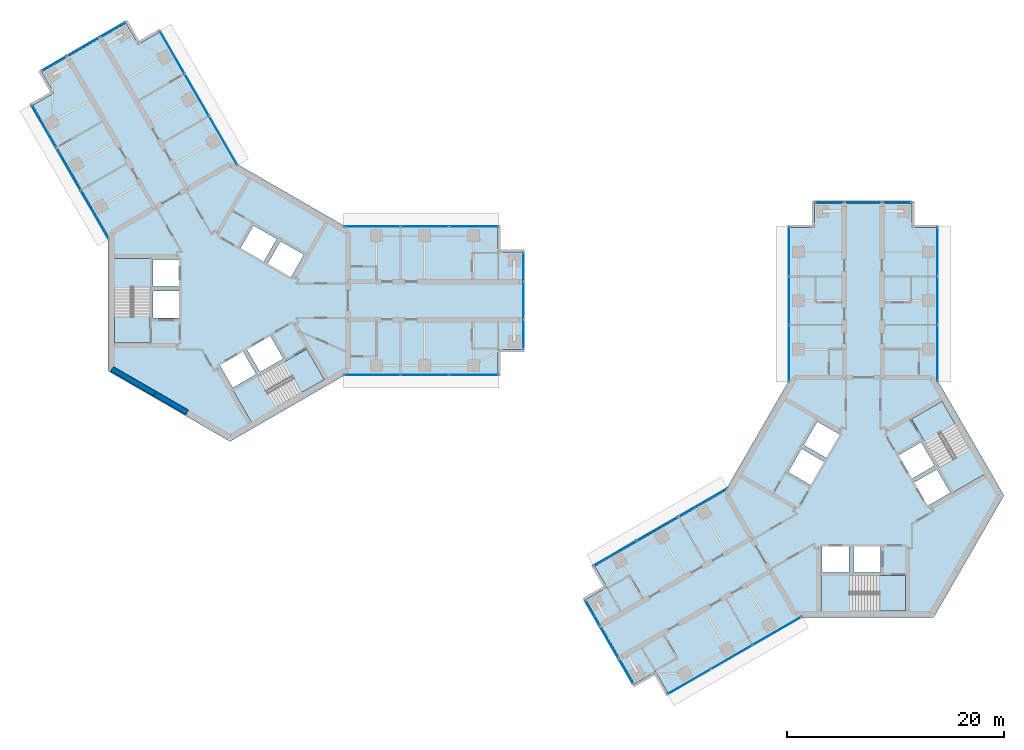
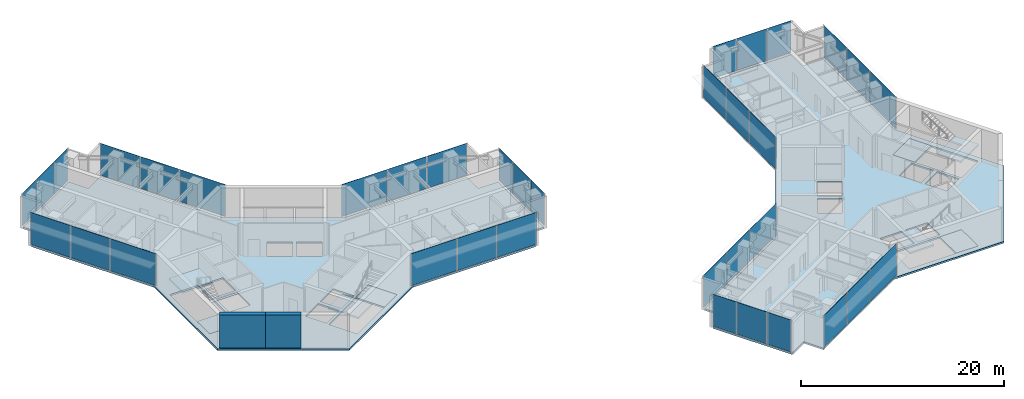
# One storey, part 10 of 17: 36 plates, 10 slabs, 2 walls, 16 elements without a shape of their own.
"""IFC4 building model written with IfcOpenShell, lengths in metres."""

from ifc_helpers import new_model, si_unit, direction, frame, frame_2d, origin, origin_2d, place, context, subcontext, project, spatial, polyline, rectangle, outline, extrude, material, layer, layer_set, type_object, element, aggregate, save


model = new_model("IFC4")

# Units and contexts
model_context = context("Model", 3, precision=1e-05, world=origin(), true_north=direction((0.0, 1.0)))
body_context = subcontext(model_context, "Body", "Model", "MODEL_VIEW")
ifc_project = project(units=[si_unit("LENGTHUNIT", "METRE"), si_unit("AREAUNIT", "SQUARE_METRE"), si_unit("VOLUMEUNIT", "CUBIC_METRE"), si_unit("PLANEANGLEUNIT", "RADIAN"), si_unit("MASSUNIT", "GRAM", prefix="KILO")], contexts=[model_context])

# Site, building, storey
site_placement = place(None, origin())
site = spatial("IfcSite", under=ifc_project, at=site_placement, CompositionType="ELEMENT")
building_placement = place(site_placement, origin())
building = spatial("IfcBuilding", under=site, at=building_placement, Name="Upepo Twin Towers", CompositionType="ELEMENT")
storey_placement = place(building_placement, frame((0.0, 0.0, 202.5)))
storey = spatial("IfcBuildingStorey", under=building, at=storey_placement, Name="L49", CompositionType="ELEMENT", Elevation=202.5)

# Curtain wall, plates
ifc_material_1 = material(Name="Aluminium and fritted glass", Category="aluminium")
curtain_wall_type = type_object("IfcCurtainWallType", Name="Tower curtain wall TW3, fritted glass", PredefinedType="NOTDEFINED", material=ifc_material_1)
curtain_wall_1_placement = place(storey_placement, origin())
curtain_wall_1 = element("IfcCurtainWall", 1, at=curtain_wall_1_placement, inside=storey, type_object=curtain_wall_type, Name="T1 L49 wing A flank L curtain wall", PredefinedType="NOTDEFINED")
ifc_material_2 = material(Name="Ceramic-fritted laminated glass", Category="glass")
ifc_layer_1 = layer(ifc_material_2, 0.031982421875)
ifc_layer_set_1 = layer_set([ifc_layer_1], Name="Fritted glass panel, 55 per cent dot frit, 32 mm double glazed")
plate_type_1 = type_object("IfcPlateType", Name="Fritted glass panel, 55 per cent dot frit, 32 mm double glazed", PredefinedType="CURTAIN_PANEL", material=ifc_layer_set_1)
plate_1_placement = place(storey_placement, frame((13.134765625, 6.85009765625, 0.14990234375), z_axis=(0.0, 0.0, 1.0), x_axis=(1.0, 0.0, 0.0)))
plate_1 = element("IfcPlate", 2, at=plate_1_placement, type_object=plate_type_1, Name="T1 L49 wing A flank L curtain wall panel 1", PredefinedType="CURTAIN_PANEL", context=body_context, shape_type="SweptSolid", body=[
    extrude(rectangle(XDim=5.165283203125, YDim=0.031982421875, at=origin_2d()), origin(), (0.0, 0.0, 1.0), 3.85009765625),
])
plate_2_placement = place(storey_placement, frame((18.0, 6.85009765625, 0.14990234375), z_axis=(0.0, 0.0, 1.0), x_axis=(1.0, 0.0, 0.0)))
plate_2 = element("IfcPlate", 3, at=plate_2_placement, type_object=plate_type_1, Name="T1 L49 wing A flank L curtain wall panel 2", PredefinedType="CURTAIN_PANEL", context=body_context, shape_type="SweptSolid", body=[
    extrude(rectangle(XDim=4.43505859375, YDim=0.031982421875, at=origin_2d()), origin(), (0.0, 0.0, 1.0), 3.85009765625),
])
plate_3_placement = place(storey_placement, frame((22.53369140625, 6.85009765625, 0.14990234375), z_axis=(0.0, 0.0, 1.0), x_axis=(1.0, 0.0, 0.0)))
plate_3 = element("IfcPlate", 4, at=plate_3_placement, type_object=plate_type_1, Name="T1 L49 wing A flank L curtain wall panel 3", PredefinedType="CURTAIN_PANEL", context=body_context, shape_type="SweptSolid", body=[
    extrude(rectangle(XDim=4.50244140625, YDim=0.031982421875, at=origin_2d()), origin(), (0.0, 0.0, 1.0), 3.85009765625),
])
aggregate(curtain_wall_1, [plate_1, plate_2, plate_3])

curtain_wall_2_placement = place(storey_placement, origin())
curtain_wall_2 = element("IfcCurtainWall", 5, at=curtain_wall_2_placement, inside=storey, type_object=curtain_wall_type, Name="T1 L49 wing A flank R curtain wall", PredefinedType="NOTDEFINED")
plate_4_placement = place(storey_placement, frame((22.53369140625, -6.85009765625, 0.14990234375), z_axis=(0.0, 0.0, 1.0), x_axis=(-1.0, 0.0, 0.0)))
plate_4 = element("IfcPlate", 6, at=plate_4_placement, type_object=plate_type_1, Name="T1 L49 wing A flank R curtain wall panel 1", PredefinedType="CURTAIN_PANEL", context=body_context, shape_type="SweptSolid", body=[
    extrude(rectangle(XDim=4.50244140625, YDim=0.031982421875, at=origin_2d()), origin(), (0.0, 0.0, 1.0), 3.85009765625),
])
plate_5_placement = place(storey_placement, frame((18.0, -6.85009765625, 0.14990234375), z_axis=(0.0, 0.0, 1.0), x_axis=(-1.0, 0.0, 0.0)))
plate_5 = element("IfcPlate", 7, at=plate_5_placement, type_object=plate_type_1, Name="T1 L49 wing A flank R curtain wall panel 2", PredefinedType="CURTAIN_PANEL", context=body_context, shape_type="SweptSolid", body=[
    extrude(rectangle(XDim=4.43505859375, YDim=0.031982421875, at=origin_2d()), origin(), (0.0, 0.0, 1.0), 3.85009765625),
])
plate_6_placement = place(storey_placement, frame((13.134765625, -6.85009765625, 0.14990234375), z_axis=(0.0, 0.0, 1.0), x_axis=(-1.0, 0.0, 0.0)))
plate_6 = element("IfcPlate", 8, at=plate_6_placement, type_object=plate_type_1, Name="T1 L49 wing A flank R curtain wall panel 3", PredefinedType="CURTAIN_PANEL", context=body_context, shape_type="SweptSolid", body=[
    extrude(rectangle(XDim=5.165283203125, YDim=0.031982421875, at=origin_2d()), origin(), (0.0, 0.0, 1.0), 3.85009765625),
])
aggregate(curtain_wall_2, [plate_4, plate_5, plate_6])

# Curtain wall, plate
curtain_wall_3_placement = place(storey_placement, origin())
curtain_wall_3 = element("IfcCurtainWall", 9, at=curtain_wall_3_placement, inside=storey, type_object=curtain_wall_type, Name="T1 L49 wing A nose curtain wall", PredefinedType="NOTDEFINED")
plate_7_placement = place(storey_placement, frame((27.10009765625, 0.0, 0.14990234375), z_axis=(0.0, 0.0, 1.0), x_axis=(0.0, 1.0, 0.0)))
plate_7 = element("IfcPlate", 10, at=plate_7_placement, type_object=plate_type_1, Name="T1 L49 wing A nose curtain wall panel 2", PredefinedType="CURTAIN_PANEL", context=body_context, shape_type="SweptSolid", body=[
    extrude(rectangle(XDim=3.43505859375, YDim=0.031982421875, at=origin_2d()), origin(), (0.0, 0.0, 1.0), 3.85009765625),
])

# Curtain wall, plates
curtain_wall_4_placement = place(storey_placement, origin())
curtain_wall_4 = element("IfcCurtainWall", 11, at=curtain_wall_4_placement, inside=storey, type_object=curtain_wall_type, Name="T1 L49 wing B flank L curtain wall", PredefinedType="NOTDEFINED")
plate_8_placement = place(storey_placement, frame((-12.499755859375, 7.9501953125, 0.14990234375), z_axis=(0.0, 0.0, 1.0), x_axis=(-0.500000026527, 0.866025388469, 0.0)))
plate_8 = element("IfcPlate", 12, at=plate_8_placement, type_object=plate_type_1, Name="T1 L49 wing B flank L curtain wall panel 1", PredefinedType="CURTAIN_PANEL", context=body_context, shape_type="SweptSolid", body=[
    extrude(rectangle(XDim=5.165283203125, YDim=0.031982421875, at=origin_2d()), origin(), (0.0, 0.0, 1.0), 3.85009765625),
])
plate_9_placement = place(storey_placement, frame((-14.932373046875, 12.16357421875, 0.14990234375), z_axis=(0.0, 0.0, 1.0), x_axis=(-0.500000026527, 0.866025388469, 0.0)))
plate_9 = element("IfcPlate", 13, at=plate_9_placement, type_object=plate_type_1, Name="T1 L49 wing B flank L curtain wall panel 2", PredefinedType="CURTAIN_PANEL", context=body_context, shape_type="SweptSolid", body=[
    extrude(rectangle(XDim=4.43505859375, YDim=0.031982421875, at=origin_2d()), origin(), (0.0, 0.0, 1.0), 3.85009765625),
])
plate_10_placement = place(storey_placement, frame((-17.19921875, 16.08984375, 0.14990234375), z_axis=(0.0, 0.0, 1.0), x_axis=(-0.500000026527, 0.866025388469, 0.0)))
plate_10 = element("IfcPlate", 14, at=plate_10_placement, type_object=plate_type_1, Name="T1 L49 wing B flank L curtain wall panel 3", PredefinedType="CURTAIN_PANEL", context=body_context, shape_type="SweptSolid", body=[
    extrude(rectangle(XDim=4.50244140625, YDim=0.031982421875, at=origin_2d()), origin(), (0.0, 0.0, 1.0), 3.85009765625),
])
aggregate(curtain_wall_4, [plate_8, plate_9, plate_10])

curtain_wall_5_placement = place(storey_placement, origin())
curtain_wall_5 = element("IfcCurtainWall", 15, at=curtain_wall_5_placement, inside=storey, type_object=curtain_wall_type, Name="T1 L49 wing B flank R curtain wall", PredefinedType="NOTDEFINED")
plate_11_placement = place(storey_placement, frame((-5.334716796875, 22.939697265625, 0.14990234375), z_axis=(0.0, 0.0, 1.0), x_axis=(0.500000026527, -0.866025388469, 0.0)))
plate_11 = element("IfcPlate", 16, at=plate_11_placement, type_object=plate_type_1, Name="T1 L49 wing B flank R curtain wall panel 1", PredefinedType="CURTAIN_PANEL", context=body_context, shape_type="SweptSolid", body=[
    extrude(rectangle(XDim=4.50244140625, YDim=0.031982421875, at=origin_2d()), origin(), (0.0, 0.0, 1.0), 3.85009765625),
])
plate_12_placement = place(storey_placement, frame((-3.067626953125, 19.013427734375, 0.14990234375), z_axis=(0.0, 0.0, 1.0), x_axis=(0.500000026527, -0.866025388469, 0.0)))
plate_12 = element("IfcPlate", 17, at=plate_12_placement, type_object=plate_type_1, Name="T1 L49 wing B flank R curtain wall panel 2", PredefinedType="CURTAIN_PANEL", context=body_context, shape_type="SweptSolid", body=[
    extrude(rectangle(XDim=4.43505859375, YDim=0.031982421875, at=origin_2d()), origin(), (0.0, 0.0, 1.0), 3.85009765625),
])
plate_13_placement = place(storey_placement, frame((-0.635009765625, 14.800048828125, 0.14990234375), z_axis=(0.0, 0.0, 1.0), x_axis=(0.500000026527, -0.866025388469, 0.0)))
plate_13 = element("IfcPlate", 18, at=plate_13_placement, type_object=plate_type_1, Name="T1 L49 wing B flank R curtain wall panel 3", PredefinedType="CURTAIN_PANEL", context=body_context, shape_type="SweptSolid", body=[
    extrude(rectangle(XDim=5.165283203125, YDim=0.031982421875, at=origin_2d()), origin(), (0.0, 0.0, 1.0), 3.85009765625),
])
aggregate(curtain_wall_5, [plate_11, plate_12, plate_13])

# Curtain wall, plate
curtain_wall_6_placement = place(storey_placement, origin())
curtain_wall_6 = element("IfcCurtainWall", 19, at=curtain_wall_6_placement, inside=storey, type_object=curtain_wall_type, Name="T1 L49 wing B nose curtain wall", PredefinedType="NOTDEFINED")
plate_14_placement = place(storey_placement, frame((-13.550048828125, 23.46923828125, 0.14990234375), z_axis=(0.0, 0.0, 1.0), x_axis=(-0.866025386174, -0.500000030502, 0.0)))
plate_14 = element("IfcPlate", 20, at=plate_14_placement, type_object=plate_type_1, Name="T1 L49 wing B nose curtain wall panel 2", PredefinedType="CURTAIN_PANEL", context=body_context, shape_type="SweptSolid", body=[
    extrude(rectangle(XDim=3.43505859375, YDim=0.031982421875, at=origin_2d()), origin(), (0.0, 0.0, 1.0), 3.85009765625),
])

# Curtain wall, plates
curtain_wall_7_placement = place(storey_placement, origin())
curtain_wall_7 = element("IfcCurtainWall", 21, at=curtain_wall_7_placement, inside=storey, type_object=curtain_wall_type, Name="T2 L49 wing A flank L curtain wall", PredefinedType="NOTDEFINED")
plate_15_placement = place(storey_placement, frame((51.64990234375, -4.865234375, 0.14990234375), z_axis=(0.0, 0.0, 1.0), x_axis=(0.0, 1.0, 0.0)))
plate_15 = element("IfcPlate", 22, at=plate_15_placement, type_object=plate_type_1, Name="T2 L49 wing A flank L curtain wall panel 1", PredefinedType="CURTAIN_PANEL", context=body_context, shape_type="SweptSolid", body=[
    extrude(rectangle(XDim=5.165283203125, YDim=0.031982421875, at=origin_2d()), origin(), (0.0, 0.0, 1.0), 3.85009765625),
])
plate_16_placement = place(storey_placement, frame((51.64990234375, 0.0, 0.14990234375), z_axis=(0.0, 0.0, 1.0), x_axis=(0.0, 1.0, 0.0)))
plate_16 = element("IfcPlate", 23, at=plate_16_placement, type_object=plate_type_1, Name="T2 L49 wing A flank L curtain wall panel 2", PredefinedType="CURTAIN_PANEL", context=body_context, shape_type="SweptSolid", body=[
    extrude(rectangle(XDim=4.43505859375, YDim=0.031982421875, at=origin_2d()), origin(), (0.0, 0.0, 1.0), 3.85009765625),
])
plate_17_placement = place(storey_placement, frame((51.64990234375, 4.53369140625, 0.14990234375), z_axis=(0.0, 0.0, 1.0), x_axis=(0.0, 1.0, 0.0)))
plate_17 = element("IfcPlate", 24, at=plate_17_placement, type_object=plate_type_1, Name="T2 L49 wing A flank L curtain wall panel 3", PredefinedType="CURTAIN_PANEL", context=body_context, shape_type="SweptSolid", body=[
    extrude(rectangle(XDim=4.50244140625, YDim=0.031982421875, at=origin_2d()), origin(), (0.0, 0.0, 1.0), 3.85009765625),
])
aggregate(curtain_wall_7, [plate_15, plate_16, plate_17])

curtain_wall_8_placement = place(storey_placement, origin())
curtain_wall_8 = element("IfcCurtainWall", 25, at=curtain_wall_8_placement, inside=storey, type_object=curtain_wall_type, Name="T2 L49 wing A flank R curtain wall", PredefinedType="NOTDEFINED")
plate_18_placement = place(storey_placement, frame((65.35009765625, 4.53369140625, 0.14990234375), z_axis=(0.0, 0.0, 1.0), x_axis=(0.0, -1.0, 0.0)))
plate_18 = element("IfcPlate", 26, at=plate_18_placement, type_object=plate_type_1, Name="T2 L49 wing A flank R curtain wall panel 1", PredefinedType="CURTAIN_PANEL", context=body_context, shape_type="SweptSolid", body=[
    extrude(rectangle(XDim=4.50244140625, YDim=0.031982421875, at=origin_2d()), origin(), (0.0, 0.0, 1.0), 3.85009765625),
])
plate_19_placement = place(storey_placement, frame((65.35009765625, 0.0, 0.14990234375), z_axis=(0.0, 0.0, 1.0), x_axis=(0.0, -1.0, 0.0)))
plate_19 = element("IfcPlate", 27, at=plate_19_placement, type_object=plate_type_1, Name="T2 L49 wing A flank R curtain wall panel 2", PredefinedType="CURTAIN_PANEL", context=body_context, shape_type="SweptSolid", body=[
    extrude(rectangle(XDim=4.43505859375, YDim=0.031982421875, at=origin_2d()), origin(), (0.0, 0.0, 1.0), 3.85009765625),
])
plate_20_placement = place(storey_placement, frame((65.35009765625, -4.865234375, 0.14990234375), z_axis=(0.0, 0.0, 1.0), x_axis=(0.0, -1.0, 0.0)))
plate_20 = element("IfcPlate", 28, at=plate_20_placement, type_object=plate_type_1, Name="T2 L49 wing A flank R curtain wall panel 3", PredefinedType="CURTAIN_PANEL", context=body_context, shape_type="SweptSolid", body=[
    extrude(rectangle(XDim=5.165283203125, YDim=0.031982421875, at=origin_2d()), origin(), (0.0, 0.0, 1.0), 3.85009765625),
])
aggregate(curtain_wall_8, [plate_18, plate_19, plate_20])

# Curtain wall, plate
curtain_wall_9_placement = place(storey_placement, origin())
curtain_wall_9 = element("IfcCurtainWall", 29, at=curtain_wall_9_placement, inside=storey, type_object=curtain_wall_type, Name="T2 L49 wing A nose curtain wall", PredefinedType="NOTDEFINED")
plate_21_placement = place(storey_placement, frame((58.5, 9.10009765625, 0.14990234375), z_axis=(0.0, 0.0, 1.0), x_axis=(-1.0, 0.0, 0.0)))
plate_21 = element("IfcPlate", 30, at=plate_21_placement, type_object=plate_type_1, Name="T2 L49 wing A nose curtain wall panel 2", PredefinedType="CURTAIN_PANEL", context=body_context, shape_type="SweptSolid", body=[
    extrude(rectangle(XDim=3.43505859375, YDim=0.031982421875, at=origin_2d()), origin(), (0.0, 0.0, 1.0), 3.85009765625),
])

# Curtain wall, plates
curtain_wall_10_placement = place(storey_placement, origin())
curtain_wall_10 = element("IfcCurtainWall", 31, at=curtain_wall_10_placement, inside=storey, type_object=curtain_wall_type, Name="T2 L49 wing B flank L curtain wall", PredefinedType="NOTDEFINED")
plate_22_placement = place(storey_placement, frame((50.5498046875, -30.499755859375, 0.14990234375), z_axis=(0.0, 0.0, 1.0), x_axis=(-0.866025388469, -0.500000026527, 0.0)))
plate_22 = element("IfcPlate", 32, at=plate_22_placement, type_object=plate_type_1, Name="T2 L49 wing B flank L curtain wall panel 1", PredefinedType="CURTAIN_PANEL", context=body_context, shape_type="SweptSolid", body=[
    extrude(rectangle(XDim=5.165283203125, YDim=0.031982421875, at=origin_2d()), origin(), (0.0, 0.0, 1.0), 3.85009765625),
])
plate_23_placement = place(storey_placement, frame((46.33642578125, -32.932373046875, 0.14990234375), z_axis=(0.0, 0.0, 1.0), x_axis=(-0.866025388469, -0.500000026527, 0.0)))
plate_23 = element("IfcPlate", 33, at=plate_23_placement, type_object=plate_type_1, Name="T2 L49 wing B flank L curtain wall panel 2", PredefinedType="CURTAIN_PANEL", context=body_context, shape_type="SweptSolid", body=[
    extrude(rectangle(XDim=4.43505859375, YDim=0.031982421875, at=origin_2d()), origin(), (0.0, 0.0, 1.0), 3.85009765625),
])
plate_24_placement = place(storey_placement, frame((42.41015625, -35.19921875, 0.14990234375), z_axis=(0.0, 0.0, 1.0), x_axis=(-0.866025388469, -0.500000026527, 0.0)))
plate_24 = element("IfcPlate", 34, at=plate_24_placement, type_object=plate_type_1, Name="T2 L49 wing B flank L curtain wall panel 3", PredefinedType="CURTAIN_PANEL", context=body_context, shape_type="SweptSolid", body=[
    extrude(rectangle(XDim=4.50244140625, YDim=0.031982421875, at=origin_2d()), origin(), (0.0, 0.0, 1.0), 3.85009765625),
])
aggregate(curtain_wall_10, [plate_22, plate_23, plate_24])

curtain_wall_11_placement = place(storey_placement, origin())
curtain_wall_11 = element("IfcCurtainWall", 35, at=curtain_wall_11_placement, inside=storey, type_object=curtain_wall_type, Name="T2 L49 wing B flank R curtain wall", PredefinedType="NOTDEFINED")
plate_25_placement = place(storey_placement, frame((35.560302734375, -23.334716796875, 0.14990234375), z_axis=(0.0, 0.0, 1.0), x_axis=(0.866025388469, 0.500000026527, 0.0)))
plate_25 = element("IfcPlate", 36, at=plate_25_placement, type_object=plate_type_1, Name="T2 L49 wing B flank R curtain wall panel 1", PredefinedType="CURTAIN_PANEL", context=body_context, shape_type="SweptSolid", body=[
    extrude(rectangle(XDim=4.50244140625, YDim=0.031982421875, at=origin_2d()), origin(), (0.0, 0.0, 1.0), 3.85009765625),
])
plate_26_placement = place(storey_placement, frame((39.486572265625, -21.067626953125, 0.14990234375), z_axis=(0.0, 0.0, 1.0), x_axis=(0.866025388469, 0.500000026527, 0.0)))
plate_26 = element("IfcPlate", 37, at=plate_26_placement, type_object=plate_type_1, Name="T2 L49 wing B flank R curtain wall panel 2", PredefinedType="CURTAIN_PANEL", context=body_context, shape_type="SweptSolid", body=[
    extrude(rectangle(XDim=4.43505859375, YDim=0.031982421875, at=origin_2d()), origin(), (0.0, 0.0, 1.0), 3.85009765625),
])
plate_27_placement = place(storey_placement, frame((43.699951171875, -18.635009765625, 0.14990234375), z_axis=(0.0, 0.0, 1.0), x_axis=(0.866025388469, 0.500000026527, 0.0)))
plate_27 = element("IfcPlate", 38, at=plate_27_placement, type_object=plate_type_1, Name="T2 L49 wing B flank R curtain wall panel 3", PredefinedType="CURTAIN_PANEL", context=body_context, shape_type="SweptSolid", body=[
    extrude(rectangle(XDim=5.165283203125, YDim=0.031982421875, at=origin_2d()), origin(), (0.0, 0.0, 1.0), 3.85009765625),
])
aggregate(curtain_wall_11, [plate_25, plate_26, plate_27])

# Curtain wall, plate
curtain_wall_12_placement = place(storey_placement, origin())
curtain_wall_12 = element("IfcCurtainWall", 39, at=curtain_wall_12_placement, inside=storey, type_object=curtain_wall_type, Name="T2 L49 wing B nose curtain wall", PredefinedType="NOTDEFINED")
plate_28_placement = place(storey_placement, frame((35.03076171875, -31.550048828125, 0.14990234375), z_axis=(0.0, 0.0, 1.0), x_axis=(0.500000030502, -0.866025386174, 0.0)))
plate_28 = element("IfcPlate", 40, at=plate_28_placement, type_object=plate_type_1, Name="T2 L49 wing B nose curtain wall panel 2", PredefinedType="CURTAIN_PANEL", context=body_context, shape_type="SweptSolid", body=[
    extrude(rectangle(XDim=3.43505859375, YDim=0.031982421875, at=origin_2d()), origin(), (0.0, 0.0, 1.0), 3.85009765625),
])

# Plate
ifc_material_3 = material(Name="Clear laminated glass in opening sash", Category="glass")
ifc_layer_2 = layer(ifc_material_3, 0.031982421875)
ifc_layer_set_2 = layer_set([ifc_layer_2], Name="Operable glass panel, 32 mm double glazed")
plate_type_2 = type_object("IfcPlateType", Name="Operable glass panel, 32 mm double glazed", PredefinedType="CURTAIN_PANEL", material=ifc_layer_set_2)
plate_29_placement = place(storey_placement, frame((27.10009765625, -3.108642578125, 0.14990234375), z_axis=(0.0, 0.0, 1.0), x_axis=(0.0, 1.0, 0.0)))
plate_29 = element("IfcPlate", 41, at=plate_29_placement, type_object=plate_type_2, Name="T1 L49 wing A nose curtain wall panel 1", PredefinedType="CURTAIN_PANEL", context=body_context, shape_type="SweptSolid", body=[
    extrude(rectangle(XDim=2.652587890625, YDim=0.031982421875, at=origin_2d()), origin(), (0.0, 0.0, 1.0), 3.85009765625),
])

plate_30_placement = place(storey_placement, frame((27.10009765625, 3.108642578125, 0.14990234375), z_axis=(0.0, 0.0, 1.0), x_axis=(0.0, 1.0, 0.0)))
plate_30 = element("IfcPlate", 42, at=plate_30_placement, type_object=plate_type_2, Name="T1 L49 wing A nose curtain wall panel 3", PredefinedType="CURTAIN_PANEL", context=body_context, shape_type="SweptSolid", body=[
    extrude(rectangle(XDim=2.652587890625, YDim=0.031982421875, at=origin_2d()), origin(), (0.0, 0.0, 1.0), 3.85009765625),
])

aggregate(curtain_wall_3, [plate_29, plate_7, plate_30])

plate_31_placement = place(storey_placement, frame((-10.857666015625, 25.023681640625, 0.14990234375), z_axis=(0.0, 0.0, 1.0), x_axis=(-0.866025386174, -0.500000030502, 0.0)))
plate_31 = element("IfcPlate", 43, at=plate_31_placement, type_object=plate_type_2, Name="T1 L49 wing B nose curtain wall panel 1", PredefinedType="CURTAIN_PANEL", context=body_context, shape_type="SweptSolid", body=[
    extrude(rectangle(XDim=2.652587890625, YDim=0.031982421875, at=origin_2d()), origin(), (0.0, 0.0, 1.0), 3.85009765625),
])

plate_32_placement = place(storey_placement, frame((-16.2421875, 21.914794921875, 0.14990234375), z_axis=(0.0, 0.0, 1.0), x_axis=(-0.866025386174, -0.500000030502, 0.0)))
plate_32 = element("IfcPlate", 44, at=plate_32_placement, type_object=plate_type_2, Name="T1 L49 wing B nose curtain wall panel 3", PredefinedType="CURTAIN_PANEL", context=body_context, shape_type="SweptSolid", body=[
    extrude(rectangle(XDim=2.652587890625, YDim=0.031982421875, at=origin_2d()), origin(), (0.0, 0.0, 1.0), 3.85009765625),
])

aggregate(curtain_wall_6, [plate_31, plate_14, plate_32])

plate_33_placement = place(storey_placement, frame((61.608642578125, 9.10009765625, 0.14990234375), z_axis=(0.0, 0.0, 1.0), x_axis=(-1.0, 0.0, 0.0)))
plate_33 = element("IfcPlate", 45, at=plate_33_placement, type_object=plate_type_2, Name="T2 L49 wing A nose curtain wall panel 1", PredefinedType="CURTAIN_PANEL", context=body_context, shape_type="SweptSolid", body=[
    extrude(rectangle(XDim=2.652587890625, YDim=0.031982421875, at=origin_2d()), origin(), (0.0, 0.0, 1.0), 3.85009765625),
])

plate_34_placement = place(storey_placement, frame((55.391357421875, 9.10009765625, 0.14990234375), z_axis=(0.0, 0.0, 1.0), x_axis=(-1.0, 0.0, 0.0)))
plate_34 = element("IfcPlate", 46, at=plate_34_placement, type_object=plate_type_2, Name="T2 L49 wing A nose curtain wall panel 3", PredefinedType="CURTAIN_PANEL", context=body_context, shape_type="SweptSolid", body=[
    extrude(rectangle(XDim=2.652587890625, YDim=0.031982421875, at=origin_2d()), origin(), (0.0, 0.0, 1.0), 3.85009765625),
])

aggregate(curtain_wall_9, [plate_33, plate_21, plate_34])

plate_35_placement = place(storey_placement, frame((33.476318359375, -28.857666015625, 0.14990234375), z_axis=(0.0, 0.0, 1.0), x_axis=(0.500000030502, -0.866025386174, 0.0)))
plate_35 = element("IfcPlate", 47, at=plate_35_placement, type_object=plate_type_2, Name="T2 L49 wing B nose curtain wall panel 1", PredefinedType="CURTAIN_PANEL", context=body_context, shape_type="SweptSolid", body=[
    extrude(rectangle(XDim=2.652587890625, YDim=0.031982421875, at=origin_2d()), origin(), (0.0, 0.0, 1.0), 3.85009765625),
])

plate_36_placement = place(storey_placement, frame((36.585205078125, -34.2421875, 0.14990234375), z_axis=(0.0, 0.0, 1.0), x_axis=(0.500000030502, -0.866025386174, 0.0)))
plate_36 = element("IfcPlate", 48, at=plate_36_placement, type_object=plate_type_2, Name="T2 L49 wing B nose curtain wall panel 3", PredefinedType="CURTAIN_PANEL", context=body_context, shape_type="SweptSolid", body=[
    extrude(rectangle(XDim=2.652587890625, YDim=0.031982421875, at=origin_2d()), origin(), (0.0, 0.0, 1.0), 3.85009765625),
])

aggregate(curtain_wall_12, [plate_35, plate_28, plate_36])

# Stair, slabs
ifc_material_4 = material(Name="Concrete C40/50", Category="concrete")
stair_type = type_object("IfcStairType", Name="Core stair, two flights", PredefinedType="HALF_TURN_STAIR", material=ifc_material_4)
stair_1_placement = place(storey_placement, origin())
stair_1 = element("IfcStair", 49, at=stair_1_placement, inside=storey, type_object=stair_type, Name="T1 stair S1 L49", PredefinedType="HALF_TURN_STAIR")
ifc_material_5 = material(Name="Concrete C40/50", Category="concrete")
ifc_layer_3 = layer(ifc_material_5, 0.199951171875)
ifc_layer_set_3 = layer_set([ifc_layer_3], Name="Concrete C40/50")
slab_type_1 = type_object("IfcSlabType", Name="Stair landing 200 RC", PredefinedType="LANDING", material=ifc_layer_set_3)
slab_1_placement = place(storey_placement, frame((0.0, 0.0, -0.199951171875)))
slab_1 = element("IfcSlab", 50, at=slab_1_placement, type_object=slab_type_1, Name="Stair S1 landing 1", PredefinedType="LANDING", context=body_context, shape_type="SweptSolid", body=[
    extrude(outline(polyline([(-7.39990234375, -1.419921875), (-10.658447265625, -1.419921875), (-10.658447265625, -3.89990234375), (-7.39990234375, -3.89990234375), (-7.39990234375, -1.419921875)])), origin(), (0.0, 0.0, 1.0), 0.199951171875),
])
slab_2_placement = place(storey_placement, frame((0.0, 0.0, 1.800048828125)))
slab_2 = element("IfcSlab", 51, at=slab_2_placement, type_object=slab_type_1, Name="Stair S1 landing 2", PredefinedType="LANDING", context=body_context, shape_type="SweptSolid", body=[
    extrude(outline(polyline([(-7.300048828125, 3.89990234375), (-10.75830078125, 3.89990234375), (-10.75830078125, 1.179931640625), (-7.300048828125, 1.179931640625), (-7.300048828125, 3.89990234375)])), origin(), (0.0, 0.0, 1.0), 0.199951171875),
])
aggregate(stair_1, [slab_1, slab_2])

stair_2_placement = place(storey_placement, origin())
stair_2 = element("IfcStair", 52, at=stair_2_placement, inside=storey, type_object=stair_type, Name="T1 stair S2 L49", PredefinedType="HALF_TURN_STAIR")
slab_3_placement = place(storey_placement, frame((0.0, 0.0, -0.199951171875)))
slab_3 = element("IfcSlab", 53, at=slab_3_placement, type_object=slab_type_1, Name="Stair S2 landing 1", PredefinedType="LANDING", context=body_context, shape_type="SweptSolid", body=[
    extrude(outline(polyline([(4.9296875, -5.698486328125), (6.558837890625, -8.520263671875), (8.70654296875, -7.2802734375), (7.077392578125, -4.45849609375), (4.9296875, -5.698486328125)])), origin(), (0.0, 0.0, 1.0), 0.199951171875),
])
slab_4_placement = place(storey_placement, frame((0.0, 0.0, 1.800048828125)))
slab_4 = element("IfcSlab", 54, at=slab_4_placement, type_object=slab_type_1, Name="Stair S2 landing 2", PredefinedType="LANDING", context=body_context, shape_type="SweptSolid", body=[
    extrude(outline(polyline([(0.2724609375, -8.27197265625), (2.001708984375, -11.26708984375), (4.357177734375, -9.906982421875), (2.628173828125, -6.911865234375), (0.2724609375, -8.27197265625)])), origin(), (0.0, 0.0, 1.0), 0.199951171875),
])
aggregate(stair_2, [slab_3, slab_4])

stair_3_placement = place(storey_placement, origin())
stair_3 = element("IfcStair", 55, at=stair_3_placement, inside=storey, type_object=stair_type, Name="T2 stair S1 L49", PredefinedType="HALF_TURN_STAIR")
slab_5_placement = place(storey_placement, frame((0.0, 0.0, -0.199951171875)))
slab_5 = element("IfcSlab", 56, at=slab_5_placement, type_object=slab_type_1, Name="Stair S1 landing 1", PredefinedType="LANDING", context=body_context, shape_type="SweptSolid", body=[
    extrude(outline(polyline([(59.919921875, -25.39990234375), (59.919921875, -28.658447265625), (62.39990234375, -28.658447265625), (62.39990234375, -25.39990234375), (59.919921875, -25.39990234375)])), origin(), (0.0, 0.0, 1.0), 0.199951171875),
])
slab_6_placement = place(storey_placement, frame((0.0, 0.0, 1.800048828125)))
slab_6 = element("IfcSlab", 57, at=slab_6_placement, type_object=slab_type_1, Name="Stair S1 landing 2", PredefinedType="LANDING", context=body_context, shape_type="SweptSolid", body=[
    extrude(outline(polyline([(54.60009765625, -25.300048828125), (54.60009765625, -28.75830078125), (57.320068359375, -28.75830078125), (57.320068359375, -25.300048828125), (54.60009765625, -25.300048828125)])), origin(), (0.0, 0.0, 1.0), 0.199951171875),
])
aggregate(stair_3, [slab_5, slab_6])

stair_4_placement = place(storey_placement, origin())
stair_4 = element("IfcStair", 58, at=stair_4_placement, inside=storey, type_object=stair_type, Name="T2 stair S2 L49", PredefinedType="HALF_TURN_STAIR")
slab_7_placement = place(storey_placement, frame((0.0, 0.0, -0.199951171875)))
slab_7 = element("IfcSlab", 59, at=slab_7_placement, type_object=slab_type_1, Name="Stair S2 landing 1", PredefinedType="LANDING", context=body_context, shape_type="SweptSolid", body=[
    extrude(outline(polyline([(64.198486328125, -13.0703125), (67.020263671875, -11.441162109375), (65.7802734375, -9.29345703125), (62.95849609375, -10.922607421875), (64.198486328125, -13.0703125)])), origin(), (0.0, 0.0, 1.0), 0.199951171875),
])
slab_8_placement = place(storey_placement, frame((0.0, 0.0, 1.800048828125)))
slab_8 = element("IfcSlab", 60, at=slab_8_placement, type_object=slab_type_1, Name="Stair S2 landing 2", PredefinedType="LANDING", context=body_context, shape_type="SweptSolid", body=[
    extrude(outline(polyline([(66.77197265625, -17.7275390625), (69.76708984375, -15.998291015625), (68.406982421875, -13.642822265625), (65.411865234375, -15.371826171875), (66.77197265625, -17.7275390625)])), origin(), (0.0, 0.0, 1.0), 0.199951171875),
])
aggregate(stair_4, [slab_7, slab_8])

# Slabs
ifc_material_6 = material(Name="Concrete C40/50", Category="concrete")
ifc_layer_4 = layer(ifc_material_6, 0.199951171875)
ifc_layer_set_4 = layer_set([ifc_layer_4], Name="Concrete C40/50")
slab_type_2 = type_object("IfcSlabType", Name="Tower floor slab 200 RC", PredefinedType="FLOOR", material=ifc_layer_set_4)
slab_9_placement = place(storey_placement, frame((0.0, 0.0, -0.199951171875)))
element("IfcSlab", 61, at=slab_9_placement, inside=storey, type_object=slab_type_2, Name="T1 L49 floor slab", PredefinedType="FLOOR", context=body_context, shape_type="SweptSolid", body=[
    extrude(outline(polyline([(10.825439453125, 6.75), (24.75, 6.75), (24.75, 4.5), (27.0, 4.5), (27.0, -4.5), (24.75, -4.5), (24.75, -6.75), (10.825439453125, -6.75), (0.0, -13.0), (-11.25830078125, -6.5), (-11.25830078125, 6.0), (-18.220703125, 18.05908203125), (-16.272216796875, 19.18408203125), (-17.397216796875, 21.132568359375), (-9.602783203125, 25.632568359375), (-8.477783203125, 23.68408203125), (-6.529296875, 24.80908203125), (0.43310546875, 12.75), (10.825439453125, 6.75)]), holes=[polyline([(5.640869140625, 2.17041015625), (6.8408203125, 4.248779296875), (4.67578125, 5.498779296875), (3.475830078125, 3.42041015625), (5.640869140625, 2.17041015625)]), polyline([(3.12939453125, 3.620361328125), (4.329345703125, 5.69873046875), (2.164306640625, 6.94873046875), (0.96435546875, 4.870361328125), (3.12939453125, 3.620361328125)]), polyline([(-4.699951171875, 3.800048828125), (-7.10009765625, 3.800048828125), (-7.10009765625, 1.300048828125), (-4.699951171875, 1.300048828125), (-4.699951171875, 3.800048828125)]), polyline([(-4.699951171875, 0.89990234375), (-7.10009765625, 0.89990234375), (-7.10009765625, -1.60009765625), (-4.699951171875, -1.60009765625), (-4.699951171875, 0.89990234375)]), polyline([(-7.39990234375, 3.89990234375), (-10.658447265625, 3.89990234375), (-10.658447265625, -3.89990234375), (-7.39990234375, -3.89990234375), (-7.39990234375, 3.89990234375)]), polyline([(-0.94091796875, -5.97021484375), (0.259033203125, -8.048828125), (2.424072265625, -6.798828125), (1.22412109375, -4.72021484375), (-0.94091796875, -5.97021484375)]), polyline([(1.570556640625, -4.520263671875), (2.7705078125, -6.598876953125), (4.935546875, -5.348876953125), (3.735595703125, -3.270263671875), (1.570556640625, -4.520263671875)]), polyline([(0.322509765625, -8.358642578125), (1.95166015625, -11.180419921875), (8.70654296875, -7.2802734375), (7.077392578125, -4.45849609375), (0.322509765625, -8.358642578125)])]), origin(), (0.0, 0.0, 1.0), 0.199951171875),
])
slab_10_placement = place(storey_placement, frame((0.0, 0.0, -0.199951171875)))
element("IfcSlab", 62, at=slab_10_placement, inside=storey, type_object=slab_type_2, Name="T2 L49 floor slab", PredefinedType="FLOOR", context=body_context, shape_type="SweptSolid", body=[
    extrude(outline(polyline([(51.75, -7.174560546875), (51.75, 6.75), (54.0, 6.75), (54.0, 9.0), (63.0, 9.0), (63.0, 6.75), (65.25, 6.75), (65.25, -7.174560546875), (71.5, -18.0), (65.0, -29.25830078125), (52.5, -29.25830078125), (40.44091796875, -36.220703125), (39.31591796875, -34.272216796875), (37.367431640625, -35.397216796875), (32.867431640625, -27.602783203125), (34.81591796875, -26.477783203125), (33.69091796875, -24.529296875), (45.75, -17.56689453125), (51.75, -7.174560546875)]), holes=[polyline([(56.32958984375, -12.359130859375), (54.251220703125, -11.1591796875), (53.001220703125, -13.32421875), (55.07958984375, -14.524169921875), (56.32958984375, -12.359130859375)]), polyline([(54.879638671875, -14.87060546875), (52.80126953125, -13.670654296875), (51.55126953125, -15.835693359375), (53.629638671875, -17.03564453125), (54.879638671875, -14.87060546875)]), polyline([(54.699951171875, -22.699951171875), (54.699951171875, -25.10009765625), (57.199951171875, -25.10009765625), (57.199951171875, -22.699951171875), (54.699951171875, -22.699951171875)]), polyline([(57.60009765625, -22.699951171875), (57.60009765625, -25.10009765625), (60.10009765625, -25.10009765625), (60.10009765625, -22.699951171875), (57.60009765625, -22.699951171875)]), polyline([(54.60009765625, -25.39990234375), (54.60009765625, -28.658447265625), (62.39990234375, -28.658447265625), (62.39990234375, -25.39990234375), (54.60009765625, -25.39990234375)]), polyline([(64.47021484375, -18.94091796875), (66.548828125, -17.740966796875), (65.298828125, -15.575927734375), (63.22021484375, -16.77587890625), (64.47021484375, -18.94091796875)]), polyline([(63.020263671875, -16.429443359375), (65.098876953125, -15.2294921875), (63.848876953125, -13.064453125), (61.770263671875, -14.264404296875), (63.020263671875, -16.429443359375)]), polyline([(66.858642578125, -17.677490234375), (69.680419921875, -16.04833984375), (65.7802734375, -9.29345703125), (62.95849609375, -10.922607421875), (66.858642578125, -17.677490234375)])]), origin(), (0.0, 0.0, 1.0), 0.199951171875),
])

# Walls
ifc_material_7 = material(Name="Concrete C60/75", Category="concrete")
ifc_layer_5 = layer(ifc_material_7, 0.5)
ifc_layer_set_5 = layer_set([ifc_layer_5], Name="Concrete C60/75")
wall_type = type_object("IfcWallType", Name="Core wall 500 RC", PredefinedType="SHEAR", material=ifc_layer_set_5)
wall_1_placement = place(storey_placement, frame((-10.908447265625, -6.2978515625, 0.0), z_axis=(0.0, 0.0, 1.0), x_axis=(0.866034513004, -0.499984222037, 0.0)))
element("IfcWall", 63, at=wall_1_placement, inside=storey, type_object=wall_type, Name="T1 core wall 240 R", PredefinedType="SHEAR", context=body_context, shape_type="SweptSolid", body=[
    extrude(rectangle(XDim=4.548095703125, YDim=0.5, at=frame_2d((2.27392578125, 0.0))), origin(), (0.0, 0.0, 1.0), 4.0),
])
wall_2_placement = place(storey_placement, frame((-6.9697265625, -8.57177734375, 0.0), z_axis=(0.0, 0.0, 1.0), x_axis=(0.866019471182, -0.500010275428, 0.0)))
element("IfcWall", 64, at=wall_2_placement, inside=storey, type_object=wall_type, Name="T1 core wall 240", PredefinedType="SHEAR", context=body_context, shape_type="SweptSolid", body=[
    extrude(rectangle(XDim=3.5, YDim=0.5, at=frame_2d((1.75, 0.0))), origin(), (0.0, 0.0, 1.0), 4.0),
])

save(model, "model.ifc")
